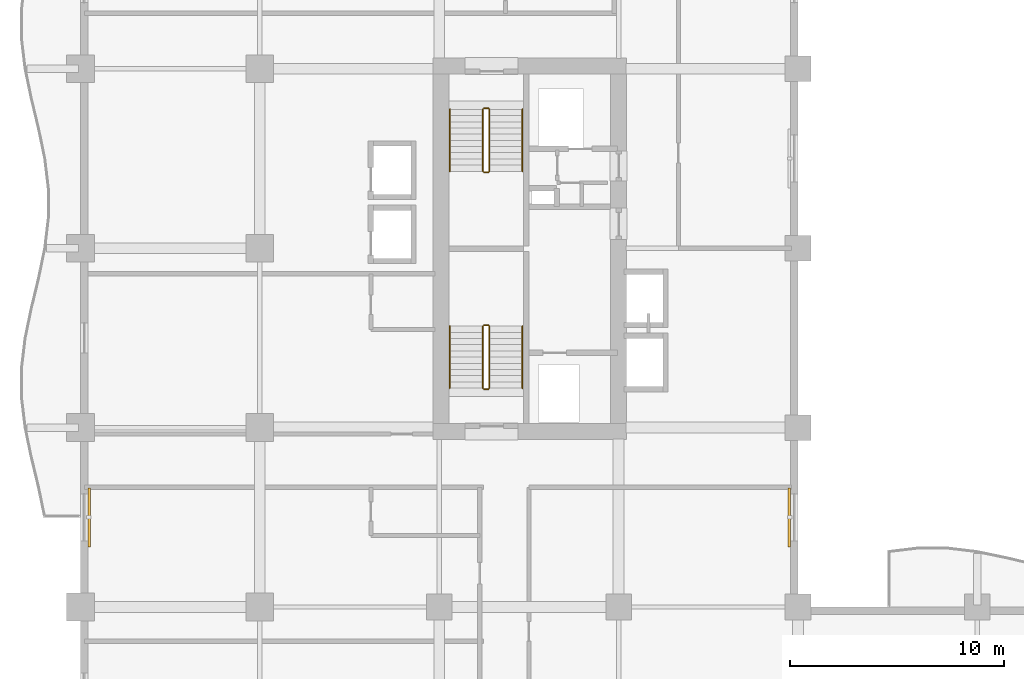
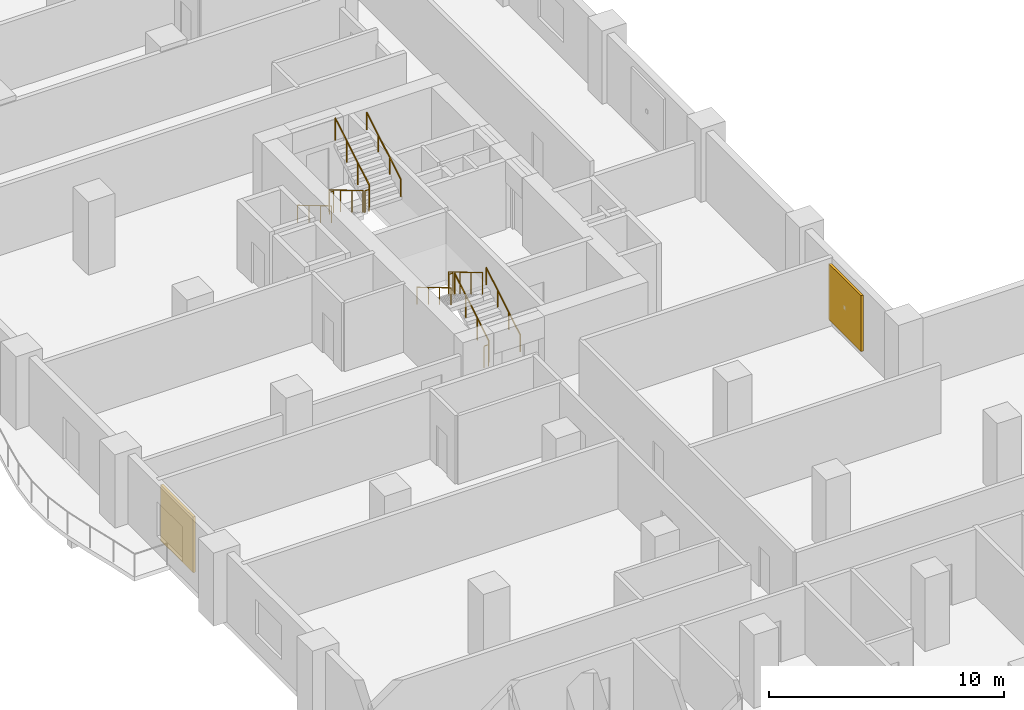
# One storey, part 17 of 18: 12 railings, 2 shading devices.
"""IFC4 building model written with IfcOpenShell, lengths in metres."""

from ifc_helpers import new_model, si_unit, direction, frame, origin, origin_2d, place, context, subcontext, project, spatial, rectangle, circle, extrude, material, layer, layer_set, type_object, element, save


model = new_model("IFC4")

# Units and contexts
model_context = context("Model", 3, precision=1e-05, world=origin(), true_north=direction((0.0, 1.0)))
body_context = subcontext(model_context, "Body", "Model", "MODEL_VIEW")
ifc_project = project(units=[si_unit("LENGTHUNIT", "METRE"), si_unit("AREAUNIT", "SQUARE_METRE"), si_unit("VOLUMEUNIT", "CUBIC_METRE"), si_unit("PLANEANGLEUNIT", "RADIAN"), si_unit("MASSUNIT", "GRAM", prefix="KILO")], contexts=[model_context])

# Site, building, storey
site_placement = place(None, origin())
site = spatial("IfcSite", under=ifc_project, at=site_placement, CompositionType="ELEMENT")
building_placement = place(site_placement, origin())
building = spatial("IfcBuilding", under=site, at=building_placement, Name="Koriwani Terraces Tower", CompositionType="ELEMENT")
storey_placement = place(building_placement, frame((0.0, 0.0, 100.0)))
storey = spatial("IfcBuildingStorey", under=building, at=storey_placement, Name="L23", CompositionType="ELEMENT", Elevation=100.0)

# Railings
ifc_material_1 = material(Name="Steel ASTM A572 Grade 50", Category="steel")
railing_type_1 = type_object("IfcRailingType", Name="GUARD_STAIR_WELL_1120", PredefinedType="GUARDRAIL", material=ifc_material_1)
railing_1_placement = place(storey_placement, frame((19.14990234375, 43.85009765625, 0.172607421875)))
element("IfcRailing", 1, at=railing_1_placement, inside=storey, type_object=railing_type_1, Name="L23 ST-W1 stair guard 1", PredefinedType="GUARDRAIL", context=body_context, shape_type="SweptSolid", body=[
    extrude(circle(Radius=0.02392578125, at=origin_2d()), frame((0.0, 0.0, 1.1259765625), z_axis=(0.0, 0.859141464434, 0.511738159696), x_axis=(-1.0, 0.0, 0.0)), (0.0, 0.0, 1.0), 3.375244140625),
    extrude(circle(Radius=0.02099609375, at=origin_2d()), origin(), (0.0, 0.0, 1.0), 1.101806640625),
    extrude(circle(Radius=0.02099609375, at=origin_2d()), frame((0.0, 0.966552734375, 0.57568359375)), (0.0, 0.0, 1.0), 1.101806640625),
    extrude(circle(Radius=0.02099609375, at=origin_2d()), frame((0.0, 1.933349609375, 1.151611328125)), (0.0, 0.0, 1.0), 1.101806640625),
    extrude(circle(Radius=0.02099609375, at=origin_2d()), frame((0.0, 2.89990234375, 1.727294921875)), (0.0, 0.0, 1.0), 1.101806640625),
])
railing_2_placement = place(storey_placement, frame((19.10009765625, 46.800048828125, 1.89990234375)))
element("IfcRailing", 2, at=railing_2_placement, inside=storey, type_object=railing_type_1, Name="L23 ST-W1 stair guard 2", PredefinedType="GUARDRAIL", context=body_context, shape_type="SweptSolid", body=[
    extrude(circle(Radius=0.02392578125, at=origin_2d()), frame((0.0, 0.0, 1.1259765625), z_axis=(-1.0, 0.0, 0.0), x_axis=(0.0, -1.0, 0.0)), (0.0, 0.0, 1.0), 0.2001953125),
    extrude(circle(Radius=0.02099609375, at=origin_2d()), origin(), (0.0, 0.0, 1.0), 1.101806640625),
    extrude(circle(Radius=0.02099609375, at=origin_2d()), frame((-0.2001953125, 0.0, 0.0)), (0.0, 0.0, 1.0), 1.101806640625),
])
railing_3_placement = place(storey_placement, frame((18.85009765625, 46.75, 2.07275390625)))
element("IfcRailing", 3, at=railing_3_placement, inside=storey, type_object=railing_type_1, Name="L23 ST-W1 stair guard 3", PredefinedType="GUARDRAIL", context=body_context, shape_type="SweptSolid", body=[
    extrude(circle(Radius=0.02392578125, at=origin_2d()), frame((0.0, 0.0, 1.1259765625), z_axis=(0.0, -0.859141464434, 0.511738159696), x_axis=(1.0, 0.0, 0.0)), (0.0, 0.0, 1.0), 3.375244140625),
    extrude(circle(Radius=0.02099609375, at=origin_2d()), origin(), (0.0, 0.0, 1.0), 1.101806640625),
    extrude(circle(Radius=0.02099609375, at=origin_2d()), frame((0.0, -0.966552734375, 0.57568359375)), (0.0, 0.0, 1.0), 1.101806640625),
    extrude(circle(Radius=0.02099609375, at=origin_2d()), frame((0.0, -1.933349609375, 1.151611328125)), (0.0, 0.0, 1.0), 1.101806640625),
    extrude(circle(Radius=0.02099609375, at=origin_2d()), frame((0.0, -2.89990234375, 1.727294921875)), (0.0, 0.0, 1.0), 1.101806640625),
])
railing_4_placement = place(storey_placement, frame((19.10009765625, 43.800048828125, 0.0)))
element("IfcRailing", 4, at=railing_4_placement, inside=storey, type_object=railing_type_1, Name="L23 ST-W1 stair guard 4", PredefinedType="GUARDRAIL", context=body_context, shape_type="SweptSolid", body=[
    extrude(circle(Radius=0.02392578125, at=origin_2d()), frame((0.0, 0.0, 1.1259765625), z_axis=(-1.0, 0.0, 0.0), x_axis=(0.0, -1.0, 0.0)), (0.0, 0.0, 1.0), 0.2001953125),
    extrude(circle(Radius=0.02099609375, at=origin_2d()), origin(), (0.0, 0.0, 1.0), 1.101806640625),
    extrude(circle(Radius=0.02099609375, at=origin_2d()), frame((-0.2001953125, 0.0, 0.0)), (0.0, 0.0, 1.0), 1.101806640625),
])
railing_5_placement = place(storey_placement, frame((18.85009765625, 56.89990234375, 0.172607421875)))
element("IfcRailing", 5, at=railing_5_placement, inside=storey, type_object=railing_type_1, Name="L23 ST-W2 stair guard 1", PredefinedType="GUARDRAIL", context=body_context, shape_type="SweptSolid", body=[
    extrude(circle(Radius=0.02392578125, at=origin_2d()), frame((0.0, 0.0, 1.1259765625), z_axis=(0.0, -0.859141464434, 0.511738159696), x_axis=(1.0, 0.0, 0.0)), (0.0, 0.0, 1.0), 3.375244140625),
    extrude(circle(Radius=0.02099609375, at=origin_2d()), origin(), (0.0, 0.0, 1.0), 1.101806640625),
    extrude(circle(Radius=0.02099609375, at=origin_2d()), frame((0.0, -0.966552734375, 0.57568359375)), (0.0, 0.0, 1.0), 1.101806640625),
    extrude(circle(Radius=0.02099609375, at=origin_2d()), frame((0.0, -1.933349609375, 1.151611328125)), (0.0, 0.0, 1.0), 1.101806640625),
    extrude(circle(Radius=0.02099609375, at=origin_2d()), frame((0.0, -2.89990234375, 1.727294921875)), (0.0, 0.0, 1.0), 1.101806640625),
])
railing_6_placement = place(storey_placement, frame((18.89990234375, 53.949951171875, 1.89990234375)))
element("IfcRailing", 6, at=railing_6_placement, inside=storey, type_object=railing_type_1, Name="L23 ST-W2 stair guard 2", PredefinedType="GUARDRAIL", context=body_context, shape_type="SweptSolid", body=[
    extrude(circle(Radius=0.02392578125, at=origin_2d()), frame((0.0, 0.0, 1.1259765625), z_axis=(1.0, 0.0, 0.0), x_axis=(0.0, 1.0, 0.0)), (0.0, 0.0, 1.0), 0.2001953125),
    extrude(circle(Radius=0.02099609375, at=origin_2d()), origin(), (0.0, 0.0, 1.0), 1.101806640625),
    extrude(circle(Radius=0.02099609375, at=origin_2d()), frame((0.2001953125, 0.0, 0.0)), (0.0, 0.0, 1.0), 1.101806640625),
])
railing_7_placement = place(storey_placement, frame((19.14990234375, 54.0, 2.07275390625)))
element("IfcRailing", 7, at=railing_7_placement, inside=storey, type_object=railing_type_1, Name="L23 ST-W2 stair guard 3", PredefinedType="GUARDRAIL", context=body_context, shape_type="SweptSolid", body=[
    extrude(circle(Radius=0.02392578125, at=origin_2d()), frame((0.0, 0.0, 1.1259765625), z_axis=(0.0, 0.859141464434, 0.511738159696), x_axis=(-1.0, 0.0, 0.0)), (0.0, 0.0, 1.0), 3.375244140625),
    extrude(circle(Radius=0.02099609375, at=origin_2d()), origin(), (0.0, 0.0, 1.0), 1.101806640625),
    extrude(circle(Radius=0.02099609375, at=origin_2d()), frame((0.0, 0.966552734375, 0.57568359375)), (0.0, 0.0, 1.0), 1.101806640625),
    extrude(circle(Radius=0.02099609375, at=origin_2d()), frame((0.0, 1.933349609375, 1.151611328125)), (0.0, 0.0, 1.0), 1.101806640625),
    extrude(circle(Radius=0.02099609375, at=origin_2d()), frame((0.0, 2.89990234375, 1.727294921875)), (0.0, 0.0, 1.0), 1.101806640625),
])
railing_8_placement = place(storey_placement, frame((18.89990234375, 56.949951171875, 0.0)))
element("IfcRailing", 8, at=railing_8_placement, inside=storey, type_object=railing_type_1, Name="L23 ST-W2 stair guard 4", PredefinedType="GUARDRAIL", context=body_context, shape_type="SweptSolid", body=[
    extrude(circle(Radius=0.02392578125, at=origin_2d()), frame((0.0, 0.0, 1.1259765625), z_axis=(1.0, 0.0, 0.0), x_axis=(0.0, 1.0, 0.0)), (0.0, 0.0, 1.0), 0.2001953125),
    extrude(circle(Radius=0.02099609375, at=origin_2d()), origin(), (0.0, 0.0, 1.0), 1.101806640625),
    extrude(circle(Radius=0.02099609375, at=origin_2d()), frame((0.2001953125, 0.0, 0.0)), (0.0, 0.0, 1.0), 1.101806640625),
])
railing_type_2 = type_object("IfcRailingType", Name="HANDRAIL_STAIR_920", PredefinedType="HANDRAIL", material=ifc_material_1)
railing_9_placement = place(storey_placement, frame((20.699951171875, 43.85009765625, 0.172607421875)))
element("IfcRailing", 9, at=railing_9_placement, inside=storey, type_object=railing_type_2, Name="L23 ST-W1 stair handrail 1", PredefinedType="HANDRAIL", context=body_context, shape_type="SweptSolid", body=[
    extrude(circle(Radius=0.02392578125, at=origin_2d()), frame((0.0, 0.0, 0.8759765625), z_axis=(0.0, 0.859141464434, 0.511738159696), x_axis=(-1.0, 0.0, 0.0)), (0.0, 0.0, 1.0), 3.375244140625),
    extrude(circle(Radius=0.02099609375, at=origin_2d()), origin(), (0.0, 0.0, 1.0), 0.851806640625),
    extrude(circle(Radius=0.02099609375, at=origin_2d()), frame((0.0, 0.966552734375, 0.57568359375)), (0.0, 0.0, 1.0), 0.851806640625),
    extrude(circle(Radius=0.02099609375, at=origin_2d()), frame((0.0, 1.933349609375, 1.151611328125)), (0.0, 0.0, 1.0), 0.851806640625),
    extrude(circle(Radius=0.02099609375, at=origin_2d()), frame((0.0, 2.89990234375, 1.727294921875)), (0.0, 0.0, 1.0), 0.851806640625),
])
for number, where, name in (
    (10, (17.300048828125, 46.75, 2.07275390625), "L23 ST-W1 stair handrail 2"),
    (11, (17.300048828125, 56.89990234375, 0.172607421875), "L23 ST-W2 stair handrail 1"),
):
    element("IfcRailing", number, at=place(storey_placement, frame(where)), inside=storey, type_object=railing_type_2, Name=name, PredefinedType="HANDRAIL", context=body_context, shape_type="SweptSolid", body=[
        extrude(circle(Radius=0.02392578125, at=origin_2d()), frame((0.0, 0.0, 0.8759765625), z_axis=(0.0, -0.859141464434, 0.511738159696), x_axis=(1.0, 0.0, 0.0)), (0.0, 0.0, 1.0), 3.375244140625),
        extrude(circle(Radius=0.02099609375, at=origin_2d()), origin(), (0.0, 0.0, 1.0), 0.851806640625),
        extrude(circle(Radius=0.02099609375, at=origin_2d()), frame((0.0, -0.966552734375, 0.57568359375)), (0.0, 0.0, 1.0), 0.851806640625),
        extrude(circle(Radius=0.02099609375, at=origin_2d()), frame((0.0, -1.933349609375, 1.151611328125)), (0.0, 0.0, 1.0), 0.851806640625),
        extrude(circle(Radius=0.02099609375, at=origin_2d()), frame((0.0, -2.89990234375, 1.727294921875)), (0.0, 0.0, 1.0), 0.851806640625),
    ])
railing_10_placement = place(storey_placement, frame((20.699951171875, 54.0, 2.07275390625)))
element("IfcRailing", 12, at=railing_10_placement, inside=storey, type_object=railing_type_2, Name="L23 ST-W2 stair handrail 2", PredefinedType="HANDRAIL", context=body_context, shape_type="SweptSolid", body=[
    extrude(circle(Radius=0.02392578125, at=origin_2d()), frame((0.0, 0.0, 0.8759765625), z_axis=(0.0, 0.859141464434, 0.511738159696), x_axis=(-1.0, 0.0, 0.0)), (0.0, 0.0, 1.0), 3.375244140625),
    extrude(circle(Radius=0.02099609375, at=origin_2d()), origin(), (0.0, 0.0, 1.0), 0.851806640625),
    extrude(circle(Radius=0.02099609375, at=origin_2d()), frame((0.0, 0.966552734375, 0.57568359375)), (0.0, 0.0, 1.0), 0.851806640625),
    extrude(circle(Radius=0.02099609375, at=origin_2d()), frame((0.0, 1.933349609375, 1.151611328125)), (0.0, 0.0, 1.0), 0.851806640625),
    extrude(circle(Radius=0.02099609375, at=origin_2d()), frame((0.0, 2.89990234375, 1.727294921875)), (0.0, 0.0, 1.0), 0.851806640625),
])

# Shading devices
ifc_material_2 = material(Name="Extruded Terracotta Clay", Category="masonry")
ifc_layer = layer(ifc_material_2, 0.1201171875, Name="Extruded Terracotta Clay")
ifc_layer_set = layer_set([ifc_layer], Name="Extruded Terracotta Clay")
shading_device_type = type_object("IfcShadingDeviceType", Name="TERRACOTTA_BAGUETTE_SCREEN_2800", PredefinedType="USERDEFINED", material=ifc_layer_set)
for number, where, z_axis, x_axis, name in (
    (13, (0.405029296875, 37.800048828125, 0.324951171875), (0.0, 0.0, 1.0), (0.0, 1.0, 0.0), "L23 Extruded Terracotta Baguette Screen (W-12)"),
    (14, (33.195068359375, 37.800048828125, 0.324951171875), (0.0, 0.0, 1.0), (0.0, -1.0, 0.0), "L23 Extruded Terracotta Baguette Screen (NW_IN-2)"),
):
    element("IfcShadingDevice", number, at=place(storey_placement, frame(where, z_axis=z_axis, x_axis=x_axis)), inside=storey, type_object=shading_device_type, Name=name, ObjectType="BAGUETTE", PredefinedType="USERDEFINED", context=body_context, shape_type="SweptSolid", body=[
        extrude(rectangle(XDim=2.760009765625, YDim=0.1201171875, at=origin_2d()), origin(), (0.0, 0.0, 1.0), 2.89990234375),
    ])

save(model, "model.ifc")
